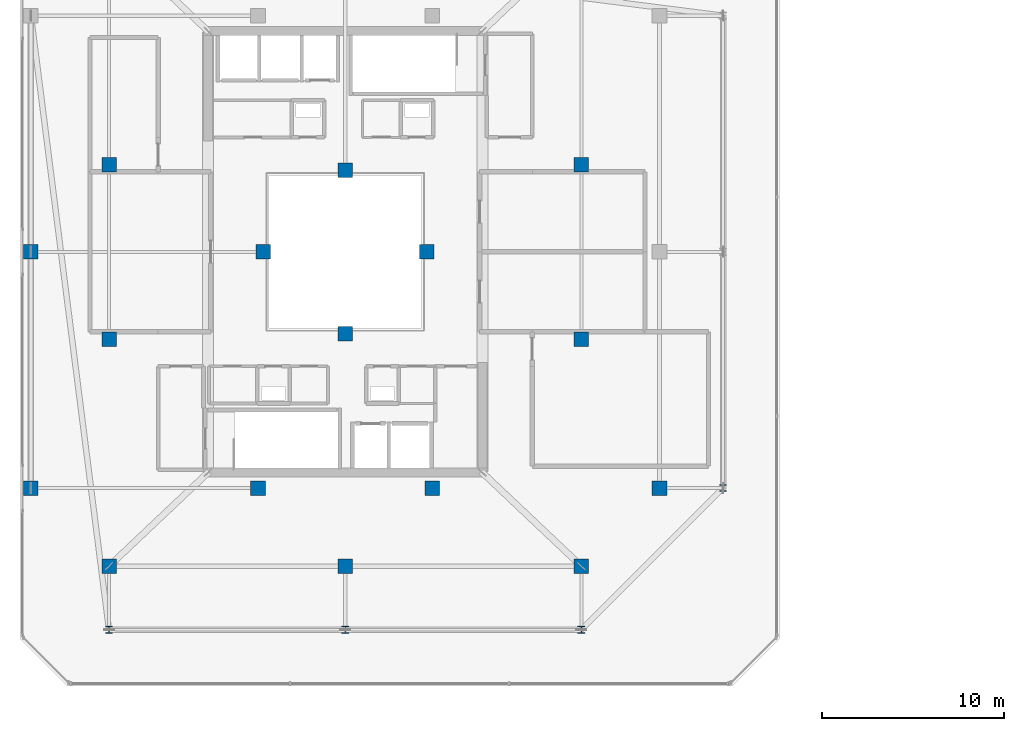
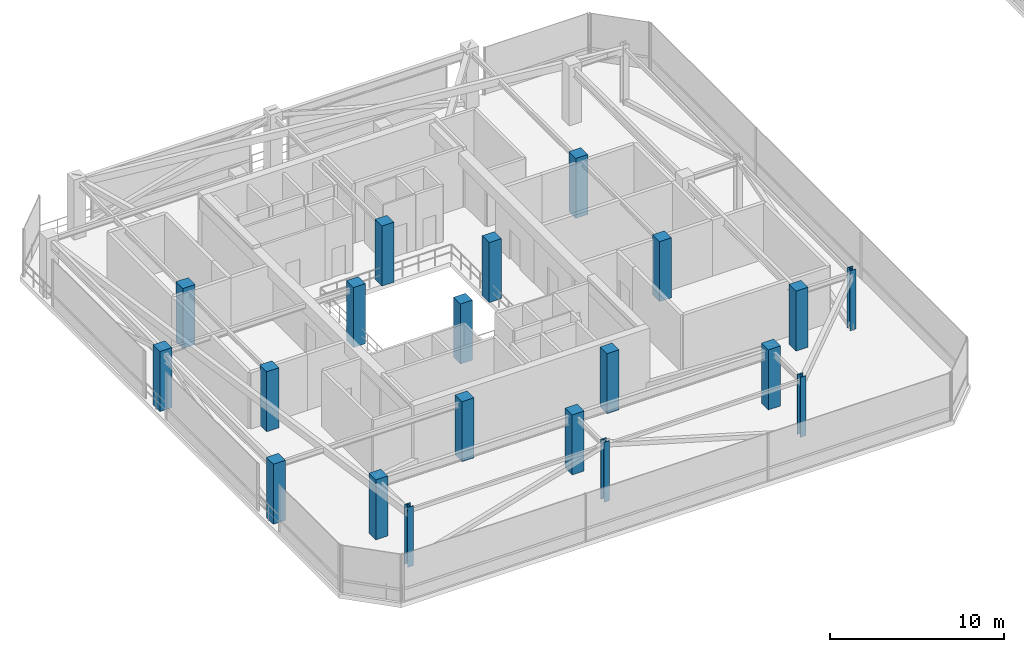
# One storey, part 1 of 47: 20 columns.
"""IFC4 building model written with IfcOpenShell, lengths in metres."""

import ifcopenshell
import ifcopenshell.guid

model = None  # the IFC model being written
_history = None  # IfcOwnerHistory: only IFC2X3 demands one
_inside = {}  # id of a spatial element -> (the spatial element, [elements in it])
_under = {}  # id of a project, library or spatial element -> (it, [spatial elements below it])
_declared = {}  # id of a project -> (the project, [libraries it declares])
_typed = {}  # id of a type object -> (the type object, [elements of that type])
_made_of = {}  # id of a material, layer set ... -> (it, [elements and type objects made of it])


def new_model(schema):
    """Start an empty IFC model of exactly this schema.

    Asked for "IFC4X3", IfcOpenShell would pick the latest addendum, in which some entities
    have other attributes; the version numbers below select the first issue.
    IFC2X3 requires an IfcOwnerHistory on every rooted entity: one is made here for all.
    """
    global model, _history
    if schema == "IFC4X3":
        model = ifcopenshell.file(schema_version=(4, 3, 0, 0))
    else:
        model = ifcopenshell.file(schema=schema)
    _inside.clear()
    _under.clear()
    _declared.clear()
    _typed.clear()
    _made_of.clear()
    _history = None
    if model.schema == "IFC2X3":
        org = make("IfcOrganization", Name="unknown")
        user = make(
            "IfcPersonAndOrganization",
            ThePerson=make("IfcPerson", FamilyName="unknown"),
            TheOrganization=org,
        )
        app = make(
            "IfcApplication",
            ApplicationDeveloper=org,
            Version="unknown",
            ApplicationFullName="unknown",
            ApplicationIdentifier="unknown",
        )
        _history = make(
            "IfcOwnerHistory",
            OwningUser=user,
            OwningApplication=app,
            ChangeAction="ADDED",
            CreationDate=0,
        )
    return model


def make(cls, **values):
    """One entity of the class cls with the attributes given. An attribute that is None is left unset."""
    return model.create_entity(
        cls, **{name: value for name, value in values.items() if value is not None}
    )


def rooted(cls, **values):
    """An entity with a GlobalId (a new one), such as an element, a storey or a relation."""
    return make(cls, GlobalId=ifcopenshell.guid.new(), OwnerHistory=_history, **values)


def si_unit(unit_type, name, prefix=None):
    """IfcSIUnit, for example si_unit("LENGTHUNIT", "METRE", prefix="MILLI")."""
    return make("IfcSIUnit", UnitType=unit_type, Prefix=prefix, Name=name)


def assignment(units):
    """IfcUnitAssignment: the units of a project."""
    return None if units is None else make("IfcUnitAssignment", Units=units)


def point(xyz):
    """IfcCartesianPoint."""
    return None if xyz is None else make("IfcCartesianPoint", Coordinates=xyz)


def direction(xyz):
    """IfcDirection."""
    return None if xyz is None else make("IfcDirection", DirectionRatios=xyz)


def frame(location, z_axis=None, x_axis=None):
    """IfcAxis2Placement3D, a coordinate frame: its origin and axes. An axis left out is left unset."""
    return make(
        "IfcAxis2Placement3D",
        Location=point(location),
        Axis=direction(z_axis),
        RefDirection=direction(x_axis),
    )


def frame_2d(location, x_axis=None):
    """IfcAxis2Placement2D, a coordinate frame in the plane: its origin and x axis."""
    return make(
        "IfcAxis2Placement2D", Location=point(location), RefDirection=direction(x_axis)
    )


def origin():
    """The frame at (0, 0, 0) with its axes left unset."""
    return frame((0.0, 0.0, 0.0))


def origin_2d():
    """The frame at (0, 0) in the plane with its x axis left unset."""
    return frame_2d((0.0, 0.0))


def place(relative_to, where):
    """IfcLocalPlacement: puts the frame where relative to a parent placement (None: the world)."""
    return make(
        "IfcLocalPlacement", PlacementRelTo=relative_to, RelativePlacement=where
    )


def context(
    kind, dimensions, precision=None, world=None, true_north=None, identifier=None
):
    """IfcGeometricRepresentationContext, for example the 3D "Model" context."""
    return make(
        "IfcGeometricRepresentationContext",
        ContextIdentifier=identifier,
        ContextType=kind,
        CoordinateSpaceDimension=dimensions,
        Precision=precision,
        WorldCoordinateSystem=world,
        TrueNorth=true_north,
    )


def subcontext(parent, identifier, kind, view, scale=None):
    """IfcGeometricRepresentationSubContext, for example "Body" below "Model"."""
    return make(
        "IfcGeometricRepresentationSubContext",
        ContextIdentifier=identifier,
        ContextType=kind,
        ParentContext=parent,
        TargetScale=scale,
        TargetView=view,
    )


def project(units=None, contexts=None):
    """IfcProject with its units and contexts."""
    return rooted(
        "IfcProject",
        Name="project",
        RepresentationContexts=contexts,
        UnitsInContext=assignment(units),
    )


def spatial(cls, under=None, at=None, **own):
    """A site, building, storey or space (cls), placed at a placement, below another one or the project."""
    s = rooted(cls, ObjectPlacement=at, **own)
    if under is not None:
        _under.setdefault(under.id(), (under, []))[1].append(s)
    return s


def profile(cls, at=None, kind="AREA", **sizes):
    """A parametric profile (cls). Its sizes go by their IFC names, for example OverallWidth=200.0."""
    return make(cls, ProfileType=kind, Position=at, **sizes)


def rectangle(**sizes):
    """IfcRectangleProfileDef."""
    return profile("IfcRectangleProfileDef", **sizes)


def i_section(**sizes):
    """IfcIShapeProfileDef."""
    return profile("IfcIShapeProfileDef", **sizes)


def extrude(swept, where, along, depth):
    """IfcExtrudedAreaSolid: the profile swept, set in the frame where, extruded along a direction by depth."""
    return make(
        "IfcExtrudedAreaSolid",
        SweptArea=swept,
        Position=where,
        ExtrudedDirection=direction(along),
        Depth=depth,
    )


def shape(context_of_items, identifier, shape_type, items):
    """IfcShapeRepresentation: the items that make up one representation, for example the "Body"."""
    return make(
        "IfcShapeRepresentation",
        ContextOfItems=context_of_items,
        RepresentationIdentifier=identifier,
        RepresentationType=shape_type,
        Items=items,
    )


def material(Name=None, Category=None):
    """IfcMaterial."""
    return make("IfcMaterial", Name=Name, Category=Category)


def material_profile(
    of_material, cross_section, Name=None, Category=None, Priority=None
):
    """IfcMaterialProfile: a cross section and its material."""
    return make(
        "IfcMaterialProfile",
        Name=Name,
        Material=of_material,
        Profile=cross_section,
        Priority=Priority,
        Category=Category,
    )


def profile_set(profiles, Name=None, composite=None):
    """IfcMaterialProfileSet."""
    return make(
        "IfcMaterialProfileSet",
        Name=Name,
        MaterialProfiles=profiles,
        CompositeProfile=composite,
    )


def made_of(thing, what):
    """Note that an element or type object is made of a material, layer set ...; save() writes the relation."""
    if what is not None:
        _made_of.setdefault(what.id(), (what, []))[1].append(thing)
    return thing


def type_object(cls, material=None, **own):
    """A type object (cls), such as IfcWallType, which elements share."""
    return made_of(rooted(cls, **own), material)


def element(
    cls,
    number,
    at=None,
    inside=None,
    cuts=None,
    type_object=None,
    material=None,
    context=None,
    identifier="Body",
    shape_type=None,
    held_by="IfcProductDefinitionShape",
    body=None,
    shapes=None,
    **own,
):
    """One element of the class cls, such as IfcWall. Its Tag is "e" and its number.

    at: its placement. inside: the storey or other place that contains it. cuts: it is an
    opening in that element (IfcRelVoidsElement). A single representation is given by context,
    identifier, shape_type and body (its items); several are given by shapes. held_by: the class
    of the entity that holds the representations. save() writes the other relations.
    """
    e = rooted(cls, Tag="e%d" % number, ObjectPlacement=at, **own)
    if body is not None:
        shapes = [shape(context, identifier, shape_type, body)]
    if shapes is not None:
        e.Representation = make(held_by, Representations=shapes)
    if inside is not None:
        _inside.setdefault(inside.id(), (inside, []))[1].append(e)
    if cuts is not None:
        rooted(
            "IfcRelVoidsElement", RelatingBuildingElement=cuts, RelatedOpeningElement=e
        )
    if type_object is not None:
        _typed.setdefault(type_object.id(), (type_object, []))[1].append(e)
    return made_of(e, material)


def aggregate(whole, parts):
    """IfcRelAggregates: a whole, such as a stair, and the parts it consists of."""
    return rooted("IfcRelAggregates", RelatingObject=whole, RelatedObjects=parts)


def save(model, path):
    """Write the relations noted so far, then the file.

    IfcRelAggregates (storeys below a building ...), IfcRelContainedInSpatialStructure (elements
    in a storey), IfcRelDefinesByType, IfcRelAssociatesMaterial and IfcRelDeclares: one each for
    every whole, place, type object, material and project.
    """
    for whole, parts in _under.values():
        aggregate(whole, parts)
    for where, things in _inside.values():
        rooted(
            "IfcRelContainedInSpatialStructure",
            RelatedElements=things,
            RelatingStructure=where,
        )
    for kind, things in _typed.values():
        rooted("IfcRelDefinesByType", RelatedObjects=things, RelatingType=kind)
    for what, things in _made_of.values():
        rooted("IfcRelAssociatesMaterial", RelatedObjects=things, RelatingMaterial=what)
    for by, libraries in _declared.values():
        rooted("IfcRelDeclares", RelatingContext=by, RelatedDefinitions=libraries)
    model.write(path)


model = new_model("IFC4")

# Units and contexts
model_context = context("Model", 3, precision=1e-05, world=origin(), true_north=direction((0.0, 1.0)))
body_context = subcontext(model_context, "Body", "Model", "MODEL_VIEW")
ifc_project = project(units=[si_unit("LENGTHUNIT", "METRE"), si_unit("AREAUNIT", "SQUARE_METRE"), si_unit("VOLUMEUNIT", "CUBIC_METRE"), si_unit("PLANEANGLEUNIT", "RADIAN"), si_unit("MASSUNIT", "GRAM", prefix="KILO")], contexts=[model_context])

# Site, building, storey
site_placement = place(None, origin())
site = spatial("IfcSite", under=ifc_project, at=site_placement, CompositionType="ELEMENT")
building_placement = place(site_placement, origin())
building = spatial("IfcBuilding", under=site, at=building_placement, Name="Thornwick Lancets Civic Towers", CompositionType="ELEMENT")
storey_placement = place(building_placement, frame((0.0, 0.0, 279.89990234375)))
storey = spatial("IfcBuildingStorey", under=building, at=storey_placement, Name="C01", CompositionType="ELEMENT", Elevation=279.89990234375)

# Columns
ifc_material_1 = material(Name="Concrete C50/60", Category="concrete")
ifc_material_profile_1 = material_profile(ifc_material_1, rectangle(XDim=0.800048828125, YDim=0.800048828125, at=origin_2d()), Name="RC 800x800")
ifc_profile_set_1 = profile_set([ifc_material_profile_1], Name="Concrete C50/60")
column_type_1 = type_object("IfcColumnType", Name="COL_RC_800", PredefinedType="COLUMN", material=ifc_profile_set_1)
for number, where, z_axis, x_axis, name in (
    (1, (12.5, 9.699951171875, 0.0), (0.0, 0.0, 1.0), (1.0, 0.0, 0.0), "C01 Spine Mega-Column A01"),
    (2, (25.5, 9.699951171875, 0.0), (0.0, 0.0, 1.0), (1.0, 0.0, 0.0), "C01 Spine Mega-Column A02"),
    (3, (38.5, 9.699951171875, 0.0), (0.0, 0.0, 1.0), (1.0, 0.0, 0.0), "C01 Spine Mega-Column A03"),
    (4, (42.800048828125, 14.0, 0.0), (0.0, 0.0, 1.0), (1.0, 0.0, 0.0), "C01 Spine Mega-Column A04"),
    (5, (8.199951171875, 14.0, 0.0), (0.0, 0.0, 1.0), (1.0, 0.0, 0.0), "C01 Spine Mega-Column A10"),
    (6, (8.199951171875, 27.0, 0.0), (0.0, 0.0, 1.0), (1.0, 0.0, 0.0), "C01 Spine Mega-Column A11"),
    (7, (12.5, 22.199951171875, 0.0), (0.0, 0.0, 1.0), (1.0, 0.0, 0.0), "C01 Spine Mega-Column A13"),
    (8, (38.5, 22.199951171875, 0.0), (0.0, 0.0, 1.0), (1.0, 0.0, 0.0), "C01 Spine Mega-Column A14"),
    (9, (12.5, 31.800048828125, 0.0), (0.0, 0.0, 1.0), (1.0, 0.0, 0.0), "C01 Spine Mega-Column A15"),
    (10, (38.5, 31.800048828125, 0.0), (0.0, 0.0, 1.0), (1.0, 0.0, 0.0), "C01 Spine Mega-Column A16"),
    (11, (20.699951171875, 14.0, 0.0), (0.0, 0.0, 1.0), (1.0, 0.0, 0.0), "C01 Spine Mega-Column A17"),
    (12, (30.300048828125, 14.0, 0.0), (0.0, 0.0, 1.0), (1.0, 0.0, 0.0), "C01 Spine Mega-Column A18"),
    (13, (25.5, 22.5, 0.0), (0.0, 0.0, 1.0), (1.0, 0.0, 0.0), "C01 Spine Mega-Column A21"),
    (14, (25.5, 31.5, 0.0), (0.0, 0.0, 1.0), (1.0, 0.0, 0.0), "C01 Spine Mega-Column A22"),
    (15, (21.0, 27.0, 0.0), (0.0, 0.0, 1.0), (1.0, 0.0, 0.0), "C01 Spine Mega-Column A23"),
    (16, (30.0, 27.0, 0.0), (0.0, 0.0, 1.0), (1.0, 0.0, 0.0), "C01 Spine Mega-Column A24"),
):
    element("IfcColumn", number, at=place(storey_placement, frame(where, z_axis=z_axis, x_axis=x_axis)), inside=storey, type_object=column_type_1, Name=name, PredefinedType="COLUMN", context=body_context, shape_type="SweptSolid", body=[
        extrude(rectangle(XDim=0.800048828125, YDim=0.800048828125, at=origin_2d()), origin(), (0.0, 0.0, 1.0), 4.2001953125),
    ])
ifc_material_2 = material(Name="Steel S355JR", Category="steel")
ifc_material_profile_2 = material_profile(ifc_material_2, i_section(OverallWidth=0.374755859375, OverallDepth=0.37451171875, WebThickness=0.0166015625, FlangeThickness=0.027099609375, FilletRadius=0.01513671875, at=origin_2d()), Name="UKC 356x368x202")
ifc_profile_set_2 = profile_set([ifc_material_profile_2], Name="Steel S355JR")
column_type_2 = type_object("IfcColumnType", Name="COL_UKC_202", PredefinedType="COLUMN", material=ifc_profile_set_2)
for number, where, z_axis, x_axis, name in (
    (17, (12.5, 6.199951171875, 0.0), (0.0, 0.0, 1.0), (1.0, 0.0, 0.0), "C01 Block Perimeter Column A01"),
    (18, (25.5, 6.199951171875, 0.0), (0.0, 0.0, 1.0), (1.0, 0.0, 0.0), "C01 Block Perimeter Column A02"),
    (19, (38.5, 6.199951171875, 0.0), (0.0, 0.0, 1.0), (1.0, 0.0, 0.0), "C01 Block Perimeter Column A03"),
    (20, (46.300048828125, 14.0, 0.0), (0.0, 0.0, 1.0), (1.0, 0.0, 0.0), "C01 Block Perimeter Column A04"),
):
    element("IfcColumn", number, at=place(storey_placement, frame(where, z_axis=z_axis, x_axis=x_axis)), inside=storey, type_object=column_type_2, Name=name, PredefinedType="COLUMN", context=body_context, shape_type="SweptSolid", body=[
        extrude(i_section(OverallWidth=0.374755859375, OverallDepth=0.37451171875, WebThickness=0.0166015625, FlangeThickness=0.027099609375, FilletRadius=0.01513671875, at=origin_2d()), origin(), (0.0, 0.0, 1.0), 4.2001953125),
    ])

save(model, "model.ifc")
